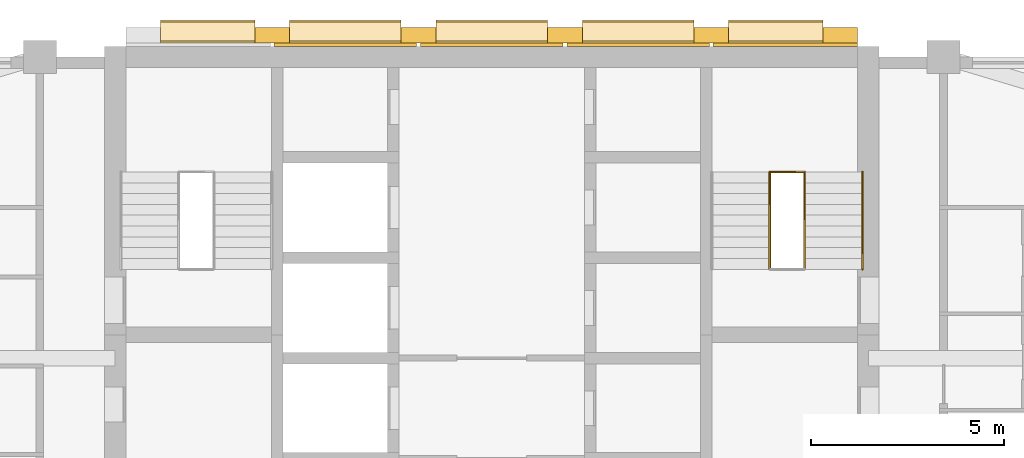
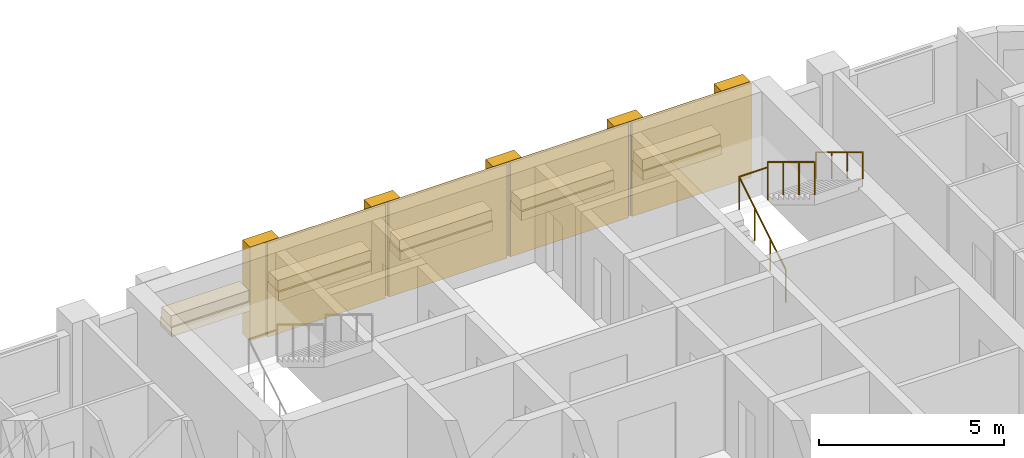
# One storey, part 14 of 14: 19 coverings, 4 railings, 1 element without a shape of its own.
"""IFC4 building model written with IfcOpenShell, lengths in metres."""

from ifc_helpers import new_model, si_unit, direction, frame, origin, origin_2d, place, context, subcontext, project, spatial, rectangle, circle, extrude, material, layer, layer_set, type_object, element, aggregate, save


model = new_model("IFC4")

# Units and contexts
model_context = context("Model", 3, precision=1e-05, world=origin(), true_north=direction((0.0, 1.0)))
body_context = subcontext(model_context, "Body", "Model", "MODEL_VIEW")
ifc_project = project(units=[si_unit("LENGTHUNIT", "METRE"), si_unit("AREAUNIT", "SQUARE_METRE"), si_unit("VOLUMEUNIT", "CUBIC_METRE"), si_unit("PLANEANGLEUNIT", "RADIAN"), si_unit("MASSUNIT", "GRAM", prefix="KILO")], contexts=[model_context])

# Site, building, storey
site_placement = place(None, origin())
site = spatial("IfcSite", under=ifc_project, at=site_placement, CompositionType="ELEMENT")
building_placement = place(site_placement, origin())
building = spatial("IfcBuilding", under=site, at=building_placement, Name="Ludao Terraces", CompositionType="ELEMENT")
storey_placement = place(building_placement, frame((0.0, 0.0, 106.699951171875)))
storey = spatial("IfcBuildingStorey", under=building, at=storey_placement, Name="L29", CompositionType="ELEMENT", Elevation=106.699951171875)

# Coverings
ifc_material_1 = material(Name="Granite cladding", Category="masonry")
ifc_layer_1 = layer(ifc_material_1, 0.39990234375)
ifc_layer_set_1 = layer_set([ifc_layer_1], Name="ENV Core pilaster stone 400")
covering_type_1 = type_object("IfcCoveringType", Name="ENV Core pilaster stone 400", PredefinedType="CLADDING", material=ifc_layer_set_1)
for number, where, z_axis, x_axis, name in (
    (1, (79.31494140625, 85.054931640625, 0.0), (0.0, 0.0, 1.0), (1.0, 0.0, 0.0), "CC-L29-PIL2"),
    (2, (83.10498046875, 85.054931640625, 0.0), (0.0, 0.0, 1.0), (1.0, 0.0, 0.0), "CC-L29-PIL3"),
    (3, (86.89501953125, 85.054931640625, 0.0), (0.0, 0.0, 1.0), (1.0, 0.0, 0.0), "CC-L29-PIL4"),
    (4, (90.68505859375, 85.054931640625, 0.0), (0.0, 0.0, 1.0), (1.0, 0.0, 0.0), "CC-L29-PIL5"),
    (5, (94.02490234375, 85.054931640625, 0.0), (0.0, 0.0, 1.0), (1.0, 0.0, 0.0), "CC-L29-PIL6"),
):
    element("IfcCovering", number, at=place(storey_placement, frame(where, z_axis=z_axis, x_axis=x_axis)), inside=storey, type_object=covering_type_1, Name=name, PredefinedType="CLADDING", context=body_context, shape_type="SweptSolid", body=[
        extrude(rectangle(XDim=0.89990234375, YDim=0.39990234375, at=origin_2d()), origin(), (0.0, 0.0, 1.0), 3.10009765625),
    ])
ifc_layer_2 = layer(ifc_material_1, 0.60009765625)
ifc_layer_set_2 = layer_set([ifc_layer_2], Name="ENV Core planting shelf stone 600")
covering_type_2 = type_object("IfcCoveringType", Name="ENV Core planting shelf stone 600", PredefinedType="CLADDING", material=ifc_layer_set_2)
covering_1_placement = place(storey_placement, frame((77.64501953125, 85.155029296875, 1.0), z_axis=(0.0, 0.0, 1.0), x_axis=(1.0, 0.0, 0.0)))
element("IfcCovering", 6, at=covering_1_placement, inside=storey, type_object=covering_type_2, Name="CC-L29-SHELF1", PredefinedType="CLADDING", context=body_context, shape_type="SweptSolid", body=[
    extrude(rectangle(XDim=2.43994140625, YDim=0.60009765625, at=origin_2d()), origin(), (0.0, 0.0, 1.0), 0.300048828125),
])
for number, where, z_axis, x_axis, name in (
    (7, (81.2099609375, 85.155029296875, 1.0), (0.0, 0.0, 1.0), (1.0, 0.0, 0.0), "CC-L29-SHELF2"),
    (8, (85.0, 85.155029296875, 1.0), (0.0, 0.0, 1.0), (1.0, 0.0, 0.0), "CC-L29-SHELF3"),
    (9, (88.7900390625, 85.155029296875, 1.0), (0.0, 0.0, 1.0), (1.0, 0.0, 0.0), "CC-L29-SHELF4"),
):
    element("IfcCovering", number, at=place(storey_placement, frame(where, z_axis=z_axis, x_axis=x_axis)), inside=storey, type_object=covering_type_2, Name=name, PredefinedType="CLADDING", context=body_context, shape_type="SweptSolid", body=[
        extrude(rectangle(XDim=2.889892578125, YDim=0.60009765625, at=origin_2d()), origin(), (0.0, 0.0, 1.0), 0.300048828125),
    ])
covering_2_placement = place(storey_placement, frame((92.35498046875, 85.155029296875, 1.0), z_axis=(0.0, 0.0, 1.0), x_axis=(1.0, 0.0, 0.0)))
element("IfcCovering", 10, at=covering_2_placement, inside=storey, type_object=covering_type_2, Name="CC-L29-SHELF5", PredefinedType="CLADDING", context=body_context, shape_type="SweptSolid", body=[
    extrude(rectangle(XDim=2.43994140625, YDim=0.60009765625, at=origin_2d()), origin(), (0.0, 0.0, 1.0), 0.300048828125),
])
ifc_layer_3 = layer(ifc_material_1, 0.080078125)
ifc_layer_set_3 = layer_set([ifc_layer_3], Name="ENV Core stone cladding panel 80")
covering_type_3 = type_object("IfcCoveringType", Name="ENV Core stone cladding panel 80", PredefinedType="CLADDING", material=ifc_layer_set_3)
for number, where, z_axis, x_axis, name in (
    (11, (81.2099609375, 84.81494140625, 0.0), (0.0, 0.0, 1.0), (1.0, 0.0, 0.0), "CC-L29-CORE2"),
    (12, (85.0, 84.81494140625, 0.0), (0.0, 0.0, 1.0), (1.0, 0.0, 0.0), "CC-L29-CORE3"),
    (13, (88.7900390625, 84.81494140625, 0.0), (0.0, 0.0, 1.0), (1.0, 0.0, 0.0), "CC-L29-CORE4"),
):
    element("IfcCovering", number, at=place(storey_placement, frame(where, z_axis=z_axis, x_axis=x_axis)), inside=storey, type_object=covering_type_3, Name=name, PredefinedType="CLADDING", context=body_context, shape_type="SweptSolid", body=[
        extrude(rectangle(XDim=3.68994140625, YDim=0.080078125, at=origin_2d()), origin(), (0.0, 0.0, 1.0), 3.10009765625),
    ])
covering_3_placement = place(storey_placement, frame((92.60498046875, 84.81494140625, 0.0), z_axis=(0.0, 0.0, 1.0), x_axis=(1.0, 0.0, 0.0)))
element("IfcCovering", 14, at=covering_3_placement, inside=storey, type_object=covering_type_3, Name="CC-L29-CORE5", PredefinedType="CLADDING", context=body_context, shape_type="SweptSolid", body=[
    extrude(rectangle(XDim=3.739990234375, YDim=0.080078125, at=origin_2d()), origin(), (0.0, 0.0, 1.0), 3.10009765625),
])
ifc_material_2 = material(Name="Planting")
ifc_layer_4 = layer(ifc_material_2, 0.5)
ifc_layer_set_4 = layer_set([ifc_layer_4], Name="ENV Shelf planting bed 350")
covering_type_4 = type_object("IfcCoveringType", Name="ENV Shelf planting bed 350", PredefinedType="USERDEFINED", material=ifc_layer_set_4)
covering_4_placement = place(storey_placement, frame((77.64501953125, 85.155029296875, 1.300048828125), z_axis=(0.0, 0.0, 1.0), x_axis=(1.0, 0.0, 0.0)))
element("IfcCovering", 15, at=covering_4_placement, inside=storey, type_object=covering_type_4, Name="Shelf planting bed L29 1", ObjectType="PLANTING", PredefinedType="USERDEFINED", context=body_context, shape_type="SweptSolid", body=[
    extrude(rectangle(XDim=2.43994140625, YDim=0.5, at=origin_2d()), origin(), (0.0, 0.0, 1.0), 0.35009765625),
])
for number, where, z_axis, x_axis, name in (
    (16, (81.2099609375, 85.155029296875, 1.300048828125), (0.0, 0.0, 1.0), (1.0, 0.0, 0.0), "Shelf planting bed L29 2"),
    (17, (85.0, 85.155029296875, 1.300048828125), (0.0, 0.0, 1.0), (1.0, 0.0, 0.0), "Shelf planting bed L29 3"),
    (18, (88.7900390625, 85.155029296875, 1.300048828125), (0.0, 0.0, 1.0), (1.0, 0.0, 0.0), "Shelf planting bed L29 4"),
):
    element("IfcCovering", number, at=place(storey_placement, frame(where, z_axis=z_axis, x_axis=x_axis)), inside=storey, type_object=covering_type_4, Name=name, ObjectType="PLANTING", PredefinedType="USERDEFINED", context=body_context, shape_type="SweptSolid", body=[
        extrude(rectangle(XDim=2.889892578125, YDim=0.5, at=origin_2d()), origin(), (0.0, 0.0, 1.0), 0.35009765625),
    ])
covering_5_placement = place(storey_placement, frame((92.35498046875, 85.155029296875, 1.300048828125), z_axis=(0.0, 0.0, 1.0), x_axis=(1.0, 0.0, 0.0)))
element("IfcCovering", 19, at=covering_5_placement, inside=storey, type_object=covering_type_4, Name="Shelf planting bed L29 5", ObjectType="PLANTING", PredefinedType="USERDEFINED", context=body_context, shape_type="SweptSolid", body=[
    extrude(rectangle(XDim=2.43994140625, YDim=0.5, at=origin_2d()), origin(), (0.0, 0.0, 1.0), 0.35009765625),
])

# Stair, railings
ifc_material_3 = material(Name="Concrete C40", Category="concrete")
stair_type = type_object("IfcStairType", Name="INT Stair", PredefinedType="HALF_TURN_STAIR", material=ifc_material_3)
stair_placement = place(storey_placement, origin())
stair = element("IfcStair", 20, at=stair_placement, inside=storey, type_object=stair_type, Name="EXIT STAIR 2", PredefinedType="HALF_TURN_STAIR")
ifc_material_4 = material(Name="Stainless steel 304", Category="steel")
railing_type_1 = type_object("IfcRailingType", Name="INT Stair guard 1100", PredefinedType="GUARDRAIL", material=ifc_material_4)
railing_1_placement = place(storey_placement, frame((92.199951171875, 79.0, 0.170166015625)))
railing_1 = element("IfcRailing", 21, at=railing_1_placement, type_object=railing_type_1, Name="ST-L29-S2-R1G", PredefinedType="GUARDRAIL", context=body_context, shape_type="SweptSolid", body=[
    extrude(circle(Radius=0.02392578125, at=origin_2d()), frame((0.0, 0.0, 1.076171875), z_axis=(0.0, 0.854821627497, 0.518921945155), x_axis=(-1.0, 0.0, 0.0)), (0.0, 0.0, 1.0), 2.947998046875),
    extrude(circle(Radius=0.02099609375, at=origin_2d()), origin(), (0.0, 0.0, 1.0), 1.052001953125),
    extrude(circle(Radius=0.02099609375, at=origin_2d()), frame((0.0, 0.840087890625, 0.510009765625)), (0.0, 0.0, 1.0), 1.052001953125),
    extrude(circle(Radius=0.02099609375, at=origin_2d()), frame((0.0, 1.679931640625, 1.019775390625)), (0.0, 0.0, 1.0), 1.052001953125),
    extrude(circle(Radius=0.02099609375, at=origin_2d()), frame((0.0, 2.52001953125, 1.52978515625)), (0.0, 0.0, 1.0), 1.052001953125),
])
railing_2_placement = place(storey_placement, frame((93.10009765625, 81.52001953125, 1.8701171875)))
railing_2 = element("IfcRailing", 22, at=railing_2_placement, type_object=railing_type_1, Name="ST-L29-S2-R2G", PredefinedType="GUARDRAIL", context=body_context, shape_type="SweptSolid", body=[
    extrude(circle(Radius=0.02392578125, at=origin_2d()), frame((0.0, 0.0, 1.076171875), z_axis=(0.0, -0.85478489116, 0.518982456201), x_axis=(1.0, 0.0, 0.0)), (0.0, 0.0, 1.0), 2.9482421875),
    extrude(circle(Radius=0.02099609375, at=origin_2d()), origin(), (0.0, 0.0, 1.0), 1.052001953125),
    extrude(circle(Radius=0.02099609375, at=origin_2d()), frame((0.0, -0.840087890625, 0.510009765625)), (0.0, 0.0, 1.0), 1.052001953125),
    extrude(circle(Radius=0.02099609375, at=origin_2d()), frame((0.0, -1.679931640625, 1.02001953125)), (0.0, 0.0, 1.0), 1.052001953125),
    extrude(circle(Radius=0.02099609375, at=origin_2d()), frame((0.0, -2.52001953125, 1.530029296875)), (0.0, 0.0, 1.0), 1.052001953125),
])
railing_3_placement = place(storey_placement, frame((92.199951171875, 81.52001953125, 1.699951171875)))
railing_3 = element("IfcRailing", 23, at=railing_3_placement, type_object=railing_type_1, Name="ST-L29-S2-E1G", PredefinedType="GUARDRAIL", context=body_context, shape_type="SweptSolid", body=[
    extrude(circle(Radius=0.02392578125, at=origin_2d()), frame((0.0, 0.0, 1.076171875), z_axis=(1.0, 0.0, 0.0), x_axis=(0.0, 1.0, 0.0)), (0.0, 0.0, 1.0), 0.900146484375),
    extrude(circle(Radius=0.02099609375, at=origin_2d()), origin(), (0.0, 0.0, 1.0), 1.052001953125),
    extrude(circle(Radius=0.02099609375, at=origin_2d()), frame((0.900146484375, 0.0, 0.0)), (0.0, 0.0, 1.0), 1.052001953125),
])
railing_type_2 = type_object("IfcRailingType", Name="INT Stair handrail 900", PredefinedType="HANDRAIL", material=ifc_material_4)
railing_4_placement = place(storey_placement, frame((94.60009765625, 81.52001953125, 1.8701171875)))
railing_4 = element("IfcRailing", 24, at=railing_4_placement, type_object=railing_type_2, Name="ST-L29-S2-R2H", PredefinedType="HANDRAIL", context=body_context, shape_type="SweptSolid", body=[
    extrude(circle(Radius=0.02392578125, at=origin_2d()), frame((0.0, 0.0, 0.8759765625), z_axis=(0.0, -0.85478489116, 0.518982456201), x_axis=(1.0, 0.0, 0.0)), (0.0, 0.0, 1.0), 2.9482421875),
    extrude(circle(Radius=0.02099609375, at=origin_2d()), origin(), (0.0, 0.0, 1.0), 0.851806640625),
    extrude(circle(Radius=0.02099609375, at=origin_2d()), frame((0.0, -0.840087890625, 0.510009765625)), (0.0, 0.0, 1.0), 0.851806640625),
    extrude(circle(Radius=0.02099609375, at=origin_2d()), frame((0.0, -1.679931640625, 1.02001953125)), (0.0, 0.0, 1.0), 0.851806640625),
    extrude(circle(Radius=0.02099609375, at=origin_2d()), frame((0.0, -2.52001953125, 1.530029296875)), (0.0, 0.0, 1.0), 0.851806640625),
])
aggregate(stair, [railing_1, railing_2, railing_4, railing_3])

save(model, "model.ifc")
